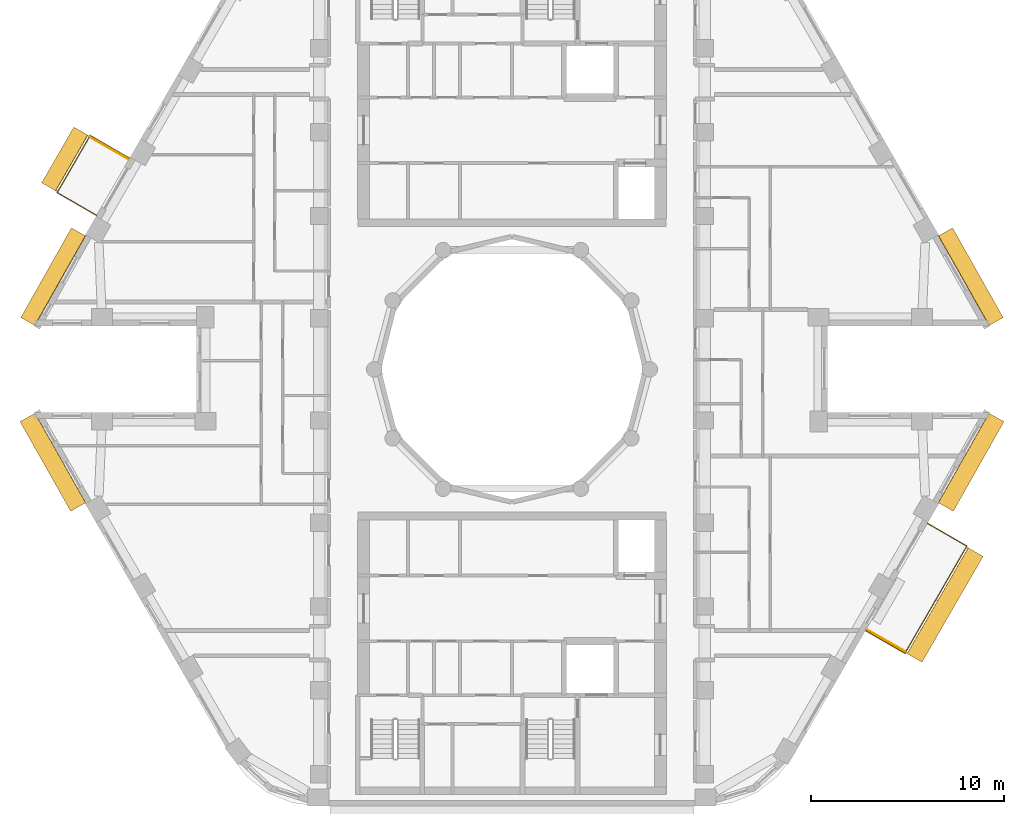
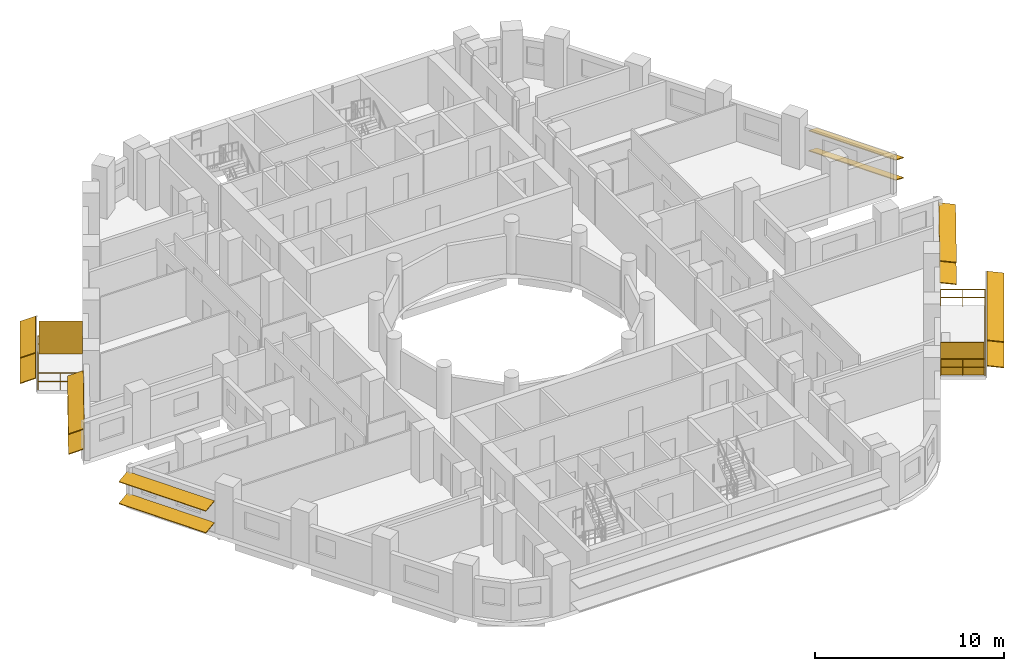
# One storey, part 13 of 14: 14 shading devices, 2 railings.
"""IFC4 building model written with IfcOpenShell, lengths in metres."""

from ifc_helpers import new_model, si_unit, direction, frame, origin, origin_2d, place, context, subcontext, project, spatial, rectangle, circle, extrude, material, layer, layer_set, material_profile, profile_set, type_object, element, save


model = new_model("IFC4")

# Units and contexts
model_context = context("Model", 3, precision=1e-05, world=origin(), true_north=direction((0.0, 1.0)))
body_context = subcontext(model_context, "Body", "Model", "MODEL_VIEW")
ifc_project = project(units=[si_unit("LENGTHUNIT", "METRE"), si_unit("AREAUNIT", "SQUARE_METRE"), si_unit("VOLUMEUNIT", "CUBIC_METRE"), si_unit("PLANEANGLEUNIT", "RADIAN"), si_unit("MASSUNIT", "GRAM", prefix="KILO")], contexts=[model_context])

# Site, building, storey
site_placement = place(None, origin())
site = spatial("IfcSite", under=ifc_project, at=site_placement, CompositionType="ELEMENT")
building_placement = place(site_placement, origin())
building = spatial("IfcBuilding", under=site, at=building_placement, Name="Nakaniwa Court", CompositionType="ELEMENT")
storey_placement = place(building_placement, frame((0.0, 0.0, 259.199951171875)))
storey = spatial("IfcBuildingStorey", under=building, at=storey_placement, Name="L68", CompositionType="ELEMENT", Elevation=259.199951171875)

# Railings
ifc_material_1 = material(Name="Black powder-coated steel flat bar balustrade S275", Category="steel")
railing_type = type_object("IfcRailingType", Name="Black metal balcony guard 1100", PredefinedType="GUARDRAIL", material=ifc_material_1)
railing_1_placement = place(storey_placement, frame((60.166015625, 90.946533203125, -0.050048828125)))
element("IfcRailing", 1, at=railing_1_placement, inside=storey, type_object=railing_type, Name="L68 balcony guard 01", PredefinedType="GUARDRAIL", context=body_context, shape_type="SweptSolid", body=[
    extrude(circle(Radius=0.02392578125, at=origin_2d()), frame((0.0, 0.0, 1.076171875), z_axis=(-0.866051224006, 0.499955275397, 0.0), x_axis=(-0.499955275397, -0.866051224006, 0.0)), (0.0, 0.0, 1.0), 2.360107421875),
    extrude(circle(Radius=0.02392578125, at=origin_2d()), frame((0.0, 0.0, 0.550048828125), z_axis=(-0.866051224006, 0.499955275397, 0.0), x_axis=(-0.499955275397, -0.866051224006, 0.0)), (0.0, 0.0, 1.0), 2.360107421875),
    extrude(circle(Radius=0.02392578125, at=origin_2d()), frame((-2.0439453125, 1.179931640625, 1.076171875), z_axis=(-0.499963508271, -0.866046471269, 0.0), x_axis=(0.866046471269, -0.499963508271, 0.0)), (0.0, 0.0, 1.0), 3.419189453125),
    extrude(circle(Radius=0.02392578125, at=origin_2d()), frame((-2.0439453125, 1.179931640625, 0.550048828125), z_axis=(-0.499963508271, -0.866046471269, 0.0), x_axis=(0.866046471269, -0.499963508271, 0.0)), (0.0, 0.0, 1.0), 3.419189453125),
    extrude(circle(Radius=0.02392578125, at=origin_2d()), frame((-3.75341796875, -1.78125, 1.076171875), z_axis=(0.866025363618, -0.50000006957, 0.0), x_axis=(0.50000006957, 0.866025363618, 0.0)), (0.0, 0.0, 1.0), 2.35986328125),
    extrude(circle(Radius=0.02392578125, at=origin_2d()), frame((-3.75341796875, -1.78125, 0.550048828125), z_axis=(0.866025363618, -0.50000006957, 0.0), x_axis=(0.50000006957, 0.866025363618, 0.0)), (0.0, 0.0, 1.0), 2.35986328125),
    extrude(circle(Radius=0.02099609375, at=origin_2d()), origin(), (0.0, 0.0, 1.0), 1.052001953125),
    extrude(circle(Radius=0.02099609375, at=origin_2d()), frame((-1.02197265625, 0.58984375, 0.0)), (0.0, 0.0, 1.0), 1.052001953125),
    extrude(circle(Radius=0.02099609375, at=origin_2d()), frame((-2.0439453125, 1.179931640625, 0.0)), (0.0, 0.0, 1.0), 1.052001953125),
    extrude(circle(Radius=0.02099609375, at=origin_2d()), frame((-2.61376953125, 0.19287109375, 0.0)), (0.0, 0.0, 1.0), 1.052001953125),
    extrude(circle(Radius=0.02099609375, at=origin_2d()), frame((-3.18359375, -0.794189453125, 0.0)), (0.0, 0.0, 1.0), 1.052001953125),
    extrude(circle(Radius=0.02099609375, at=origin_2d()), frame((-3.75341796875, -1.78125, 0.0)), (0.0, 0.0, 1.0), 1.052001953125),
    extrude(circle(Radius=0.02099609375, at=origin_2d()), frame((-2.7314453125, -2.37109375, 0.0)), (0.0, 0.0, 1.0), 1.052001953125),
    extrude(circle(Radius=0.02099609375, at=origin_2d()), frame((-1.709716796875, -2.961181640625, 0.0)), (0.0, 0.0, 1.0), 1.052001953125),
])
railing_2_placement = place(storey_placement, frame((98.333984375, 66.455322265625, -0.050048828125)))
element("IfcRailing", 2, at=railing_2_placement, inside=storey, type_object=railing_type, Name="L68 balcony guard 02", PredefinedType="GUARDRAIL", context=body_context, shape_type="SweptSolid", body=[
    extrude(circle(Radius=0.02392578125, at=origin_2d()), frame((0.0, 0.0, 1.076171875), z_axis=(0.866051224006, -0.499955275397, 0.0), x_axis=(0.499955275397, 0.866051224006, 0.0)), (0.0, 0.0, 1.0), 2.360107421875),
    extrude(circle(Radius=0.02392578125, at=origin_2d()), frame((0.0, 0.0, 0.550048828125), z_axis=(0.866051224006, -0.499955275397, 0.0), x_axis=(0.499955275397, 0.866051224006, 0.0)), (0.0, 0.0, 1.0), 2.360107421875),
    extrude(circle(Radius=0.02392578125, at=origin_2d()), frame((2.0439453125, -1.179931640625, 1.076171875), z_axis=(0.499975954304, 0.866039286129, 0.0), x_axis=(-0.866039286129, 0.499975954304, 0.0)), (0.0, 0.0, 1.0), 6.419189453125),
    extrude(circle(Radius=0.02392578125, at=origin_2d()), frame((2.0439453125, -1.179931640625, 0.550048828125), z_axis=(0.499975954304, 0.866039286129, 0.0), x_axis=(-0.866039286129, 0.499975954304, 0.0)), (0.0, 0.0, 1.0), 6.419189453125),
    extrude(circle(Radius=0.02392578125, at=origin_2d()), frame((5.25341796875, 4.37939453125, 1.076171875), z_axis=(-0.866025363618, 0.50000006957, 0.0), x_axis=(-0.50000006957, -0.866025363618, 0.0)), (0.0, 0.0, 1.0), 2.35986328125),
    extrude(circle(Radius=0.02392578125, at=origin_2d()), frame((5.25341796875, 4.37939453125, 0.550048828125), z_axis=(-0.866025363618, 0.50000006957, 0.0), x_axis=(-0.50000006957, -0.866025363618, 0.0)), (0.0, 0.0, 1.0), 2.35986328125),
    extrude(circle(Radius=0.02099609375, at=origin_2d()), origin(), (0.0, 0.0, 1.0), 1.052001953125),
    extrude(circle(Radius=0.02099609375, at=origin_2d()), frame((1.02197265625, -0.58984375, 0.0)), (0.0, 0.0, 1.0), 1.052001953125),
    extrude(circle(Radius=0.02099609375, at=origin_2d()), frame((2.0439453125, -1.179931640625, 0.0)), (0.0, 0.0, 1.0), 1.052001953125),
    extrude(circle(Radius=0.02099609375, at=origin_2d()), frame((2.578857421875, -0.25341796875, 0.0)), (0.0, 0.0, 1.0), 1.052001953125),
    extrude(circle(Radius=0.02099609375, at=origin_2d()), frame((3.11376953125, 0.673095703125, 0.0)), (0.0, 0.0, 1.0), 1.052001953125),
    extrude(circle(Radius=0.02099609375, at=origin_2d()), frame((3.648681640625, 1.599609375, 0.0)), (0.0, 0.0, 1.0), 1.052001953125),
    extrude(circle(Radius=0.02099609375, at=origin_2d()), frame((4.18359375, 2.5263671875, 0.0)), (0.0, 0.0, 1.0), 1.052001953125),
    extrude(circle(Radius=0.02099609375, at=origin_2d()), frame((4.718505859375, 3.452880859375, 0.0)), (0.0, 0.0, 1.0), 1.052001953125),
    extrude(circle(Radius=0.02099609375, at=origin_2d()), frame((5.25341796875, 4.37939453125, 0.0)), (0.0, 0.0, 1.0), 1.052001953125),
    extrude(circle(Radius=0.02099609375, at=origin_2d()), frame((4.2314453125, 4.96923828125, 0.0)), (0.0, 0.0, 1.0), 1.052001953125),
    extrude(circle(Radius=0.02099609375, at=origin_2d()), frame((3.209716796875, 5.559326171875, 0.0)), (0.0, 0.0, 1.0), 1.052001953125),
])

# Shading devices
ifc_material_2 = material(Name="Black powder-coated aluminium slat screen", Category="aluminium")
ifc_layer = layer(ifc_material_2, 0.0400390625)
ifc_layer_set = layer_set([ifc_layer], Name="Black powder-coated aluminium slat screen")
shading_device_type_1 = type_object("IfcShadingDeviceType", Name="Koshi screen black metal", PredefinedType="USERDEFINED", material=ifc_layer_set)
for number, where, z_axis, x_axis, name in (
    (3, (59.125732421875, 91.45458984375, -0.050048828125), (0.0, 0.0, 1.0), (-0.499986396443, -0.866033257659, 0.0), "L68 balcony SCREEN 01 W"),
    (4, (99.37451171875, 65.947265625, -0.050048828125), (0.0, 0.0, 1.0), (0.499986396443, 0.866033257659, 0.0), "L68 balcony SCREEN 02 W"),
):
    element("IfcShadingDevice", number, at=place(storey_placement, frame(where, z_axis=z_axis, x_axis=x_axis)), inside=storey, type_object=shading_device_type_1, Name=name, ObjectType="KOSHI SCREEN", PredefinedType="USERDEFINED", context=body_context, shape_type="SweptSolid", body=[
        extrude(rectangle(XDim=0.0400390625, YDim=2.31005859375, at=origin_2d()), origin(), (0.0, 0.0, 1.0), 2.10009765625),
    ])
ifc_material_3 = material(Name="Perforated charcoal ceramic louvre blade")
ifc_material_profile = material_profile(ifc_material_3, rectangle(XDim=0.89990234375, YDim=0.050048828125, at=origin_2d()), Name="Perforated ceramic louvre blade")
ifc_profile_set = profile_set([ifc_material_profile], Name="Perforated charcoal ceramic louvre blade")
shading_device_type_2 = type_object("IfcShadingDeviceType", Name="Perforated ceramic louvre blade", PredefinedType="JALOUSIE", material=ifc_profile_set)
for number, where, z_axis, x_axis, name in (
    (5, (57.647216796875, 92.3544921875, 0.5), (-0.499960849739, -0.866048006018, 0.0), (0.800124026933, -0.46190359613, 0.382683432365), "L68 perforated ceramic louvre blade 01 1"),
    (6, (57.647216796875, 92.3544921875, 2.150146484375), (-0.499960849739, -0.866048006018, 0.0), (0.800124026933, -0.46190359613, 0.382683432365), "L68 perforated ceramic louvre blade 01 2"),
):
    element("IfcShadingDevice", number, at=place(storey_placement, frame(where, z_axis=z_axis, x_axis=x_axis)), inside=storey, type_object=shading_device_type_2, Name=name, PredefinedType="JALOUSIE", context=body_context, shape_type="SweptSolid", body=[
        extrude(rectangle(XDim=0.89990234375, YDim=0.050048828125, at=origin_2d()), origin(), (0.0, 0.0, 1.0), 3.339111328125),
    ])
for number, where, z_axis, x_axis, name in (
    (7, (100.873779296875, 65.035400390625, 0.5), (0.499991387631, 0.866030376081, 0.0), (-0.858621366159, 0.495713891998, 0.13052619222), "L68 perforated ceramic louvre blade 02 1"),
    (8, (100.873779296875, 65.035400390625, 2.150146484375), (0.499991387631, 0.866030376081, 0.0), (-0.858621366159, 0.495713891998, 0.13052619222), "L68 perforated ceramic louvre blade 02 2"),
):
    element("IfcShadingDevice", number, at=place(storey_placement, frame(where, z_axis=z_axis, x_axis=x_axis)), inside=storey, type_object=shading_device_type_2, Name=name, PredefinedType="JALOUSIE", context=body_context, shape_type="SweptSolid", body=[
        extrude(rectangle(XDim=0.89990234375, YDim=0.050048828125, at=origin_2d()), origin(), (0.0, 0.0, 1.0), 6.3388671875),
    ])
for number, where, z_axis, x_axis, name in (
    (9, (105.103759765625, 82.480224609375, 0.550048828125), (-0.492088911474, 0.870544946114, 0.0), (-0.804858877011, -0.454958851288, 0.38107037635), "L68 perforated ceramic louvre blade w02 1"),
    (10, (105.103759765625, 82.480224609375, 1.845458984375), (-0.492088911474, 0.870544946114, 0.0), (-0.804858877011, -0.454958851288, 0.38107037635), "L68 perforated ceramic louvre blade w02 2"),
    (11, (57.5224609375, 87.126220703125, 0.550048828125), (-0.492088911474, -0.870544946114, 0.0), (0.804858877011, -0.454958851288, 0.38107037635), "L68 perforated ceramic louvre blade w14 1"),
    (12, (57.5224609375, 87.126220703125, 1.845458984375), (-0.492088911474, -0.870544946114, 0.0), (0.804858877011, -0.454958851288, 0.38107037635), "L68 perforated ceramic louvre blade w14 2"),
):
    element("IfcShadingDevice", number, at=place(storey_placement, frame(where, z_axis=z_axis, x_axis=x_axis)), inside=storey, type_object=shading_device_type_2, Name=name, PredefinedType="JALOUSIE", context=body_context, shape_type="SweptSolid", body=[
        extrude(rectangle(XDim=0.89990234375, YDim=0.050048828125, at=origin_2d()), origin(), (0.0, 0.0, 1.0), 5.3369140625),
    ])
for number, where, z_axis, x_axis, name in (
    (13, (54.87548828125, 77.508056640625, 0.550048828125), (0.492108509021, -0.870533868008, 0.0), (0.862886698285, 0.487785601632, 0.132256390257), "L68 perforated ceramic louvre blade w20 1"),
    (14, (54.87548828125, 77.508056640625, 1.955810546875), (0.492108509021, -0.870533868008, 0.0), (0.862886698285, 0.487785601632, 0.132256390257), "L68 perforated ceramic louvre blade w20 2"),
    (15, (102.498291015625, 72.8623046875, 0.550048828125), (0.492108509021, 0.870533868008, 0.0), (-0.862886698285, 0.487785601632, 0.132256390257), "L68 perforated ceramic louvre blade w32 1"),
    (16, (102.498291015625, 72.8623046875, 1.955810546875), (0.492108509021, 0.870533868008, 0.0), (-0.862886698285, 0.487785601632, 0.132256390257), "L68 perforated ceramic louvre blade w32 2"),
):
    element("IfcShadingDevice", number, at=place(storey_placement, frame(where, z_axis=z_axis, x_axis=x_axis)), inside=storey, type_object=shading_device_type_2, Name=name, PredefinedType="JALOUSIE", context=body_context, shape_type="SweptSolid", body=[
        extrude(rectangle(XDim=0.89990234375, YDim=0.050048828125, at=origin_2d()), origin(), (0.0, 0.0, 1.0), 5.336669921875),
    ])

save(model, "model.ifc")
